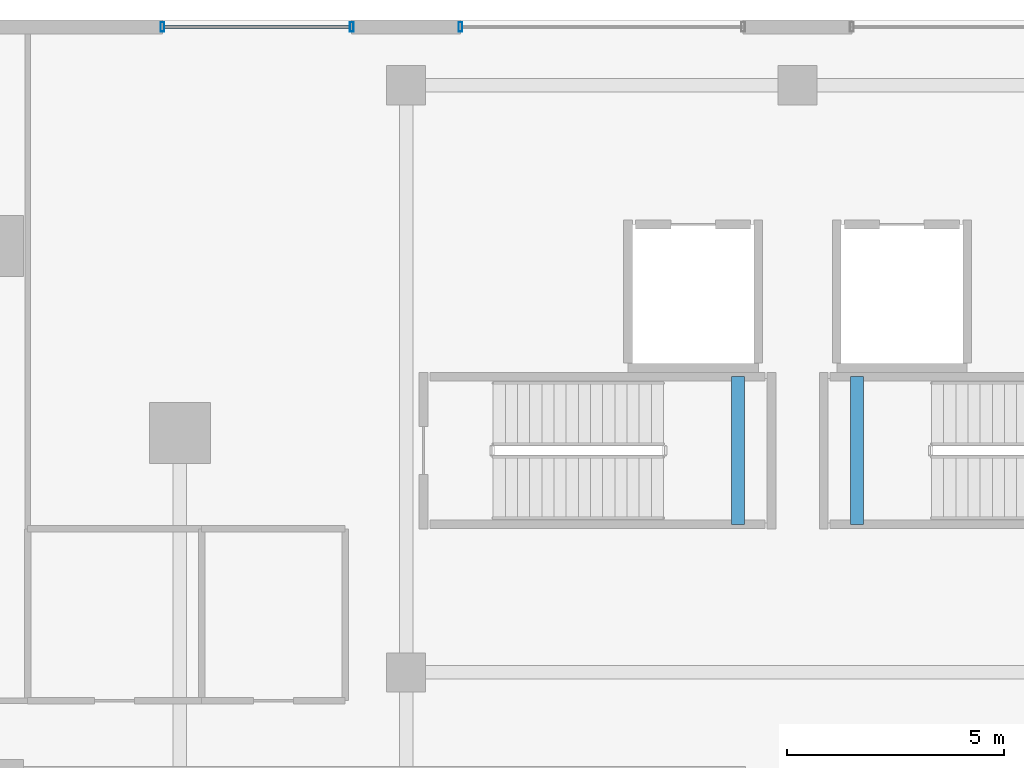
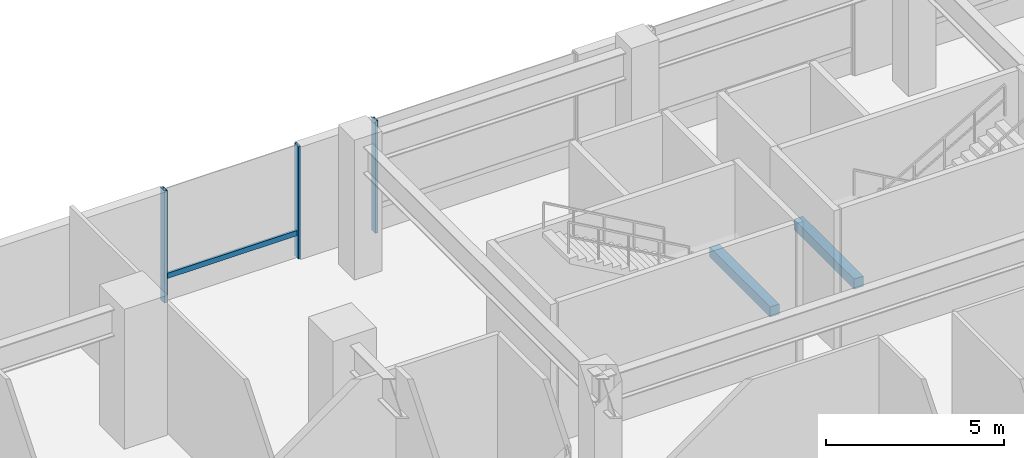
# One storey, part 4 of 22: 4 members, 2 beams, 2 elements without a shape of their own.
"""IFC4 building model written with IfcOpenShell, lengths in metres."""

from ifc_helpers import new_model, si_unit, direction, frame, origin, origin_2d, place, context, subcontext, project, spatial, rectangle, hollow_rectangle, extrude, material, material_profile, profile_set, type_object, element, aggregate, save


model = new_model("IFC4")

# Units and contexts
model_context = context("Model", 3, precision=1e-05, world=origin(), true_north=direction((0.0, 1.0)))
body_context = subcontext(model_context, "Body", "Model", "MODEL_VIEW")
ifc_project = project(units=[si_unit("LENGTHUNIT", "METRE"), si_unit("AREAUNIT", "SQUARE_METRE"), si_unit("VOLUMEUNIT", "CUBIC_METRE"), si_unit("PLANEANGLEUNIT", "RADIAN"), si_unit("MASSUNIT", "GRAM", prefix="KILO")], contexts=[model_context])

# Site, building, storey
site_placement = place(None, origin())
site = spatial("IfcSite", under=ifc_project, at=site_placement, CompositionType="ELEMENT")
building_placement = place(site_placement, origin())
building = spatial("IfcBuilding", under=site, at=building_placement, Name="Thornwick Lancets Civic Towers", CompositionType="ELEMENT")
storey_placement = place(building_placement, frame((0.0, 0.0, 4.800048828125)))
storey = spatial("IfcBuildingStorey", under=building, at=storey_placement, Name="L01", CompositionType="ELEMENT", Elevation=4.800048828125)

# Beams
ifc_material_1 = material(Name="Concrete C40/50", Category="concrete")
ifc_material_profile_1 = material_profile(ifc_material_1, rectangle(XDim=0.300048828125, YDim=0.35009765625, at=origin_2d()), Name="RC 300x350")
ifc_profile_set_1 = profile_set([ifc_material_profile_1], Name="Concrete C40/50")
beam_type = type_object("IfcBeamType", Name="BM_STAIR_LDG", PredefinedType="BEAM", material=ifc_profile_set_1)
for number, where, z_axis, x_axis, name in (
    (1, (55.635009765625, 37.89990234375, 1.97802734375), (0.0, 1.0, 0.0), (-1.0, 0.0, 0.0), "L01 ST-P5 Landing Support Beam 1"),
    (2, (58.364990234375, 41.300048828125, 1.97802734375), (0.0, -1.0, 0.0), (1.0, 0.0, 0.0), "L01 ST-P6 Landing Support Beam 1"),
):
    element("IfcBeam", number, at=place(storey_placement, frame(where, z_axis=z_axis, x_axis=x_axis)), inside=storey, type_object=beam_type, Name=name, PredefinedType="BEAM", context=body_context, shape_type="SweptSolid", body=[
        extrude(rectangle(XDim=0.300048828125, YDim=0.35009765625, at=origin_2d()), origin(), (0.0, 0.0, 1.0), 3.400146484375),
    ])

# Curtain wall, member
ifc_material_2 = material(Name="Bronze aluminium Gothic lancet podium curtain wall", Category="aluminium")
curtain_wall_type = type_object("IfcCurtainWallType", Name="CW_SYS_01", PredefinedType="NOTDEFINED", material=ifc_material_2)
curtain_wall_1_placement = place(storey_placement, origin())
curtain_wall_1 = element("IfcCurtainWall", 3, at=curtain_wall_1_placement, inside=storey, type_object=curtain_wall_type, Name="L01 Curtain Wall CW-L01-POD-NC-S3", PredefinedType="NOTDEFINED")
ifc_material_3 = material(Name="Thermally broken bronze aluminium S355", Category="steel")
ifc_material_profile_2 = material_profile(ifc_material_3, hollow_rectangle(XDim=0.090087890625, YDim=0.219970703125, WallThickness=0.00634765625, at=origin_2d()), Name="RHS 220x90x6.3")
ifc_profile_set_2 = profile_set([ifc_material_profile_2], Name="Thermally broken bronze aluminium S355")
member_type_1 = type_object("IfcMemberType", Name="CW_MUL_220", PredefinedType="MULLION", material=ifc_profile_set_2)
member_1_placement = place(storey_placement, frame((49.25, 49.340087890625, 0.0), z_axis=(0.0, 0.0, 1.0), x_axis=(1.0, 0.0, 0.0)))
member_1 = element("IfcMember", 4, at=member_1_placement, type_object=member_type_1, Name="CW-L01-POD-NC-S3 Mullion 1", PredefinedType="MULLION", context=body_context, shape_type="SweptSolid", body=[
    extrude(hollow_rectangle(XDim=0.090087890625, YDim=0.219970703125, WallThickness=0.00634765625, at=origin_2d()), origin(), (0.0, 0.0, 1.0), 3.85986328125),
])
aggregate(curtain_wall_1, [member_1])

# Curtain wall, members
curtain_wall_2_placement = place(storey_placement, origin())
curtain_wall_2 = element("IfcCurtainWall", 5, at=curtain_wall_2_placement, inside=storey, type_object=curtain_wall_type, Name="L01 Curtain Wall CW-L01-POD-NC-S4", PredefinedType="NOTDEFINED")
member_2_placement = place(storey_placement, frame((46.75, 49.340087890625, 0.0), z_axis=(0.0, 0.0, 1.0), x_axis=(1.0, 0.0, 0.0)))
member_2 = element("IfcMember", 6, at=member_2_placement, type_object=member_type_1, Name="CW-L01-POD-NC-S4 Mullion 0", PredefinedType="MULLION", context=body_context, shape_type="SweptSolid", body=[
    extrude(hollow_rectangle(XDim=0.090087890625, YDim=0.219970703125, WallThickness=0.00634765625, at=origin_2d()), origin(), (0.0, 0.0, 1.0), 3.85986328125),
])
member_3_placement = place(storey_placement, frame((42.39990234375, 49.340087890625, 0.0), z_axis=(0.0, 0.0, 1.0), x_axis=(1.0, 0.0, 0.0)))
member_3 = element("IfcMember", 7, at=member_3_placement, type_object=member_type_1, Name="CW-L01-POD-NC-S4 Mullion 1", PredefinedType="MULLION", context=body_context, shape_type="SweptSolid", body=[
    extrude(hollow_rectangle(XDim=0.090087890625, YDim=0.219970703125, WallThickness=0.00634765625, at=origin_2d()), origin(), (0.0, 0.0, 1.0), 3.85986328125),
])
ifc_material_profile_3 = material_profile(ifc_material_3, hollow_rectangle(XDim=0.074951171875, YDim=0.179931640625, WallThickness=0.006103515625, at=origin_2d()), Name="RHS 180x75x6")
ifc_profile_set_3 = profile_set([ifc_material_profile_3], Name="Thermally broken bronze aluminium S355")
member_type_2 = type_object("IfcMemberType", Name="CW_TRN_180", PredefinedType="USERDEFINED", material=ifc_profile_set_3)
member_4_placement = place(storey_placement, frame((46.72998046875, 49.340087890625, 0.849853515625), z_axis=(-1.0, 0.0, 0.0), x_axis=(0.0, -1.0, 0.0)))
member_4 = element("IfcMember", 8, at=member_4_placement, type_object=member_type_2, Name="CW-L01-POD-NC-S4 Transom 0", ObjectType="TRANSOM", PredefinedType="USERDEFINED", context=body_context, shape_type="SweptSolid", body=[
    extrude(hollow_rectangle(XDim=0.074951171875, YDim=0.179931640625, WallThickness=0.006103515625, at=origin_2d()), origin(), (0.0, 0.0, 1.0), 4.31005859375),
])
aggregate(curtain_wall_2, [member_2, member_3, member_4])

save(model, "model.ifc")
